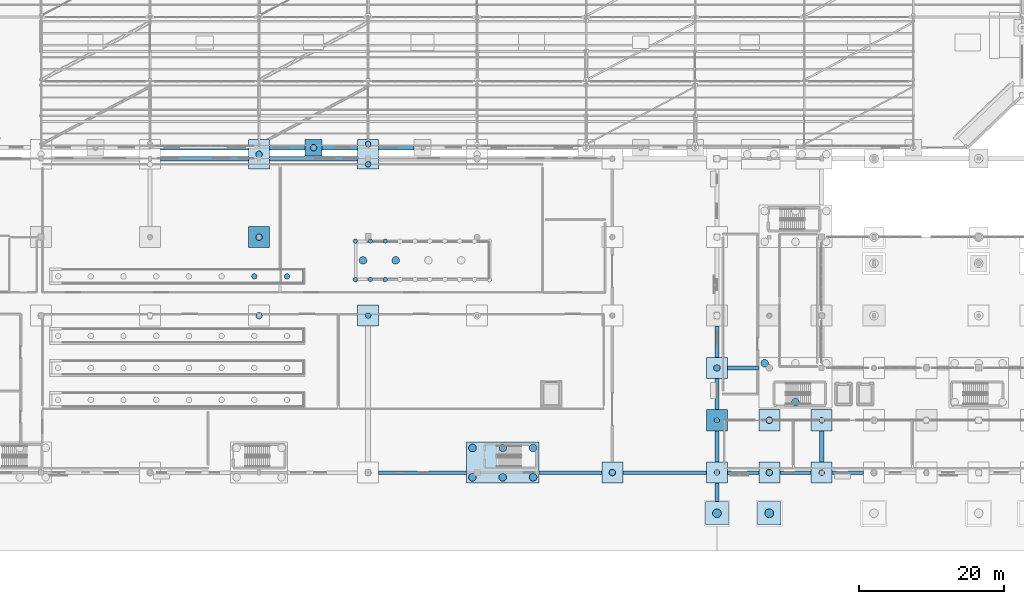
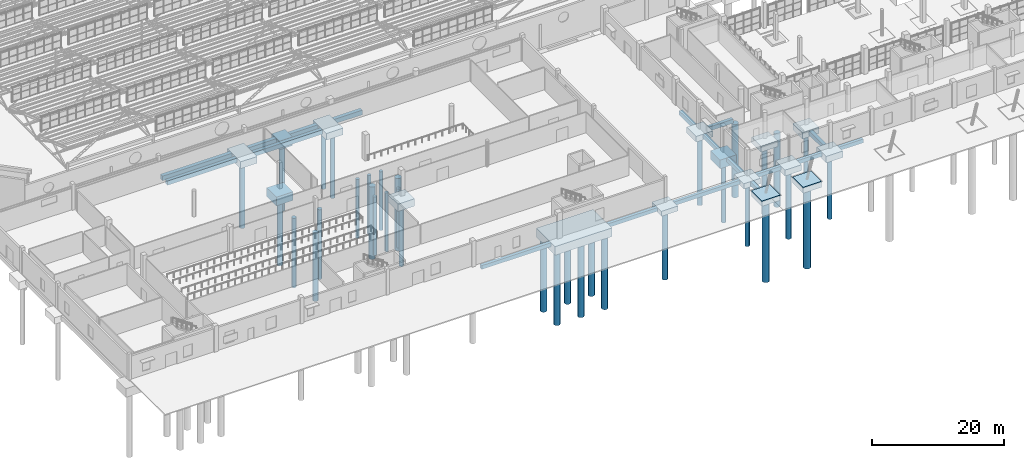
# One storey, part 2 of 285: 35 piles, 34 footings.
"""IFC4 building model written with IfcOpenShell, lengths in metres."""

from ifc_helpers import new_model, si_unit, direction, frame, origin, origin_2d, place, context, subcontext, project, spatial, polyline, circle, outline, extrude, material, material_profile, profile_set, type_object, element, save


model = new_model("IFC4")

# Units and contexts
model_context = context("Model", 3, precision=1e-05, world=origin(), true_north=direction((0.0, 1.0)))
body_context = subcontext(model_context, "Body", "Model", "MODEL_VIEW")
ifc_project = project(units=[si_unit("LENGTHUNIT", "METRE"), si_unit("AREAUNIT", "SQUARE_METRE"), si_unit("VOLUMEUNIT", "CUBIC_METRE"), si_unit("PLANEANGLEUNIT", "RADIAN"), si_unit("MASSUNIT", "GRAM", prefix="KILO")], contexts=[model_context])

# Site, building, storey
site_placement = place(None, origin())
site = spatial("IfcSite", under=ifc_project, at=site_placement, CompositionType="ELEMENT")
building_placement = place(site_placement, origin())
building = spatial("IfcBuilding", under=site, at=building_placement, Name="Solanera Park Tramway Depot", CompositionType="ELEMENT")
storey_placement = place(building_placement, origin())
storey = spatial("IfcBuildingStorey", under=building, at=storey_placement, Name="L00", CompositionType="ELEMENT", Elevation=0.0)

# Footings
ifc_material_1 = material(Name="Concrete N40 (C40/50)", Category="concrete")
footing_type_1 = type_object("IfcFootingType", Name="Bored Pile Cap PC-01 2300x2300x900", PredefinedType="PILE_CAP", material=ifc_material_1)
footing_1_placement = place(storey_placement, frame((0.0, 0.0, -1.324951171875)))
element("IfcFooting", 1, at=footing_1_placement, inside=storey, type_object=footing_type_1, Name="Pile Cap PC-01 #018", PredefinedType="PILE_CAP", context=body_context, shape_type="SweptSolid", body=[
    extrude(outline(polyline([(95.050048828125, 9.35009765625), (95.050048828125, 12.25), (92.14990234375, 12.25), (92.14990234375, 9.35009765625), (95.050048828125, 9.35009765625)])), origin(), (0.0, 0.0, 1.0), 0.89990234375),
])
ifc_material_2 = material(Name="Concrete N40 (C40/50)", Category="concrete")
footing_type_2 = type_object("IfcFootingType", Name="Bored Pile Cap PC-02 2600x2600x1000", PredefinedType="PILE_CAP", material=ifc_material_2)
footing_2_placement = place(storey_placement, frame((0.0, 0.0, -1.0)))
element("IfcFooting", 2, at=footing_2_placement, inside=storey, type_object=footing_type_2, Name="Pile Cap PC-02 #001", PredefinedType="PILE_CAP", context=body_context, shape_type="SweptSolid", body=[
    extrude(outline(polyline([(109.60009765625, 3.60693359375), (109.60009765625, 6.806884765625), (106.39990234375, 6.806884765625), (106.39990234375, 3.60693359375), (109.60009765625, 3.60693359375)])), origin(), (0.0, 0.0, 1.0), 1.0),
])
footing_3_placement = place(storey_placement, frame((0.0, 0.0, -1.35009765625)))
element("IfcFooting", 3, at=footing_3_placement, inside=storey, type_object=footing_type_2, Name="Pile Cap PC-02 #019", PredefinedType="PILE_CAP", context=body_context, shape_type="SweptSolid", body=[
    extrude(outline(polyline([(109.449951171875, 9.35009765625), (109.449951171875, 12.25), (106.550048828125, 12.25), (106.550048828125, 9.35009765625), (109.449951171875, 9.35009765625)])), origin(), (0.0, 0.0, 1.0), 1.0),
])
ifc_material_3 = material(Name="Concrete N40 (C40/50)", Category="concrete")
footing_type_3 = type_object("IfcFootingType", Name="Bored Pile Cap PC-03 2900x2900x1100", PredefinedType="PILE_CAP", material=ifc_material_3)
footing_4_placement = place(storey_placement, frame((0.0, 0.0, -1.10009765625)))
element("IfcFooting", 4, at=footing_4_placement, inside=storey, type_object=footing_type_3, Name="Pile Cap PC-03 #002", PredefinedType="PILE_CAP", context=body_context, shape_type="SweptSolid", body=[
    extrude(outline(polyline([(116.800048828125, 3.60693359375), (116.800048828125, 6.806884765625), (113.60009765625, 6.806884765625), (113.60009765625, 3.60693359375), (116.800048828125, 3.60693359375)])), origin(), (0.0, 0.0, 1.0), 1.10009765625),
])
footing_5_placement = place(storey_placement, frame((0.0, 0.0, -1.449951171875)))
element("IfcFooting", 5, at=footing_5_placement, inside=storey, type_object=footing_type_3, Name="Pile Cap PC-03 #020", PredefinedType="PILE_CAP", context=body_context, shape_type="SweptSolid", body=[
    extrude(outline(polyline([(116.64990234375, 9.35009765625), (116.64990234375, 12.25), (113.75, 12.25), (113.75, 9.35009765625), (116.64990234375, 9.35009765625)])), origin(), (0.0, 0.0, 1.0), 1.099853515625),
])
ifc_material_4 = material(Name="Concrete N40 (C40/50)", Category="concrete")
footing_type_4 = type_object("IfcFootingType", Name="Bored Pile Cap PC-04 3200x3200x1200", PredefinedType="PILE_CAP", material=ifc_material_4)
footing_6_placement = place(storey_placement, frame((0.0, 0.0, -1.550048828125)))
element("IfcFooting", 6, at=footing_6_placement, inside=storey, type_object=footing_type_4, Name="Pile Cap PC-04 #021", PredefinedType="PILE_CAP", context=body_context, shape_type="SweptSolid", body=[
    extrude(outline(polyline([(123.85009765625, 9.35009765625), (123.85009765625, 12.25), (120.949951171875, 12.25), (120.949951171875, 9.35009765625), (123.85009765625, 9.35009765625)])), origin(), (0.0, 0.0, 1.0), 1.199951171875),
])
ifc_material_5 = material(Name="Concrete N40 (C40/50)", Category="concrete")
footing_type_5 = type_object("IfcFootingType", Name="Bored Pile Cap PC-07 4200x2900x1250", PredefinedType="PILE_CAP", material=ifc_material_5)
footing_7_placement = place(storey_placement, frame((0.0, 0.0, -1.699951171875)))
element("IfcFooting", 7, at=footing_7_placement, inside=storey, type_object=footing_type_5, Name="Pile Cap PC-07 #102", PredefinedType="PILE_CAP", context=body_context, shape_type="SweptSolid", body=[
    extrude(outline(polyline([(46.449951171875, 52.550048828125), (46.449951171875, 56.64990234375), (43.550048828125, 56.64990234375), (43.550048828125, 52.550048828125), (46.449951171875, 52.550048828125)])), origin(), (0.0, 0.0, 1.0), 1.25),
])
footing_8_placement = place(storey_placement, frame((0.0, 0.0, -1.699951171875)))
element("IfcFooting", 8, at=footing_8_placement, inside=storey, type_object=footing_type_5, Name="Pile Cap PC-07 #103", PredefinedType="PILE_CAP", context=body_context, shape_type="SweptSolid", body=[
    extrude(outline(polyline([(61.449951171875, 52.550048828125), (61.449951171875, 56.64990234375), (58.550048828125, 56.64990234375), (58.550048828125, 52.550048828125), (61.449951171875, 52.550048828125)])), origin(), (0.0, 0.0, 1.0), 1.25),
])
ifc_material_6 = material(Name="Concrete N40 (C40/50)", Category="concrete")
footing_type_6 = type_object("IfcFootingType", Name="Bored Pile Cap PC-08 4600x3200x1350", PredefinedType="PILE_CAP", material=ifc_material_6)
footing_9_placement = place(storey_placement, frame((0.0, 0.0, -1.77490234375)))
element("IfcFooting", 9, at=footing_9_placement, inside=storey, type_object=footing_type_6, Name="Pile Cap PC-08 #061", PredefinedType="PILE_CAP", context=body_context, shape_type="SweptSolid", body=[
    extrude(outline(polyline([(61.449951171875, 30.949951171875), (61.449951171875, 33.85009765625), (58.550048828125, 33.85009765625), (58.550048828125, 30.949951171875), (61.449951171875, 30.949951171875)])), origin(), (0.0, 0.0, 1.0), 1.349853515625),
])
ifc_material_7 = material(Name="Concrete N40 (C40/50)", Category="concrete")
footing_type_7 = type_object("IfcFootingType", Name="Bored Pile Cap PC-13 8400x4800x1600", PredefinedType="PILE_CAP", material=ifc_material_7)
footing_10_placement = place(storey_placement, frame((0.0, 0.0, -2.02490234375)))
element("IfcFooting", 10, at=footing_10_placement, inside=storey, type_object=footing_type_7, Name="Pile Cap PC-13 #084", PredefinedType="PILE_CAP", context=body_context, shape_type="SweptSolid", body=[
    extrude(outline(polyline([(46.449951171875, 41.75), (46.449951171875, 44.64990234375), (43.550048828125, 44.64990234375), (43.550048828125, 41.75), (46.449951171875, 41.75)])), origin(), (0.0, 0.0, 1.0), 1.599853515625),
])
footing_11_placement = place(storey_placement, frame((0.0, 0.0, -2.050048828125)))
element("IfcFooting", 11, at=footing_11_placement, inside=storey, type_object=footing_type_7, Name="Pile Cap PC-13 #120", PredefinedType="PILE_CAP", context=body_context, shape_type="SweptSolid", body=[
    extrude(outline(polyline([(53.64990234375, 54.35009765625), (53.64990234375, 56.64990234375), (51.35009765625, 56.64990234375), (51.35009765625, 54.35009765625), (53.64990234375, 54.35009765625)])), origin(), (0.0, 0.0, 1.0), 1.60009765625),
])
ifc_material_8 = material(Name="Concrete N40 (C40/50)", Category="concrete")
footing_type_8 = type_object("IfcFootingType", Name="Bored Pile Cap PC-14 9600x5200x1600", PredefinedType="PILE_CAP", material=ifc_material_8)
footing_12_placement = place(storey_placement, frame((0.0, 0.0, -2.02490234375)))
element("IfcFooting", 12, at=footing_12_placement, inside=storey, type_object=footing_type_8, Name="Pile Cap PC-14 #017", PredefinedType="PILE_CAP", context=body_context, shape_type="SweptSolid", body=[
    extrude(outline(polyline([(83.5, 9.35009765625), (83.5, 15.0), (73.550048828125, 15.0), (73.550048828125, 9.35009765625), (83.5, 9.35009765625)])), origin(), (0.0, 0.0, 1.0), 1.599853515625),
])
footing_13_placement = place(storey_placement, frame((0.0, 0.0, -1.949951171875)))
element("IfcFooting", 13, at=footing_13_placement, inside=storey, type_object=footing_type_8, Name="Pile Cap PC-14 #031", PredefinedType="PILE_CAP", context=body_context, shape_type="SweptSolid", body=[
    extrude(outline(polyline([(109.449951171875, 16.550048828125), (109.449951171875, 19.449951171875), (106.550048828125, 19.449951171875), (106.550048828125, 16.550048828125), (109.449951171875, 16.550048828125)])), origin(), (0.0, 0.0, 1.0), 1.599853515625),
])
ifc_material_9 = material(Name="Concrete N40 (C40/50)", Category="concrete")
footing_type_9 = type_object("IfcFootingType", Name="Bored Pile Cap PC-15 2750x2750x1050", PredefinedType="PILE_CAP", material=ifc_material_9)
footing_14_placement = place(storey_placement, frame((0.0, 0.0, -1.39990234375)))
element("IfcFooting", 14, at=footing_14_placement, inside=storey, type_object=footing_type_9, Name="Pile Cap PC-15 #032", PredefinedType="PILE_CAP", context=body_context, shape_type="SweptSolid", body=[
    extrude(outline(polyline([(116.64990234375, 16.550048828125), (116.64990234375, 19.449951171875), (113.75, 19.449951171875), (113.75, 16.550048828125), (116.64990234375, 16.550048828125)])), origin(), (0.0, 0.0, 1.0), 1.0498046875),
])
footing_15_placement = place(storey_placement, frame((0.0, 0.0, -1.39990234375)))
element("IfcFooting", 15, at=footing_15_placement, inside=storey, type_object=footing_type_9, Name="Pile Cap PC-15 #050", PredefinedType="PILE_CAP", context=body_context, shape_type="SweptSolid", body=[
    extrude(outline(polyline([(109.449951171875, 23.75), (109.449951171875, 26.64990234375), (106.550048828125, 26.64990234375), (106.550048828125, 23.75), (109.449951171875, 23.75)])), origin(), (0.0, 0.0, 1.0), 1.0498046875),
])
ifc_material_10 = material(Name="Concrete N40 (C40/50)", Category="concrete")
footing_type_10 = type_object("IfcFootingType", Name="Bored Pile Cap PC-16 3050x3050x1150", PredefinedType="PILE_CAP", material=ifc_material_10)
footing_16_placement = place(storey_placement, frame((0.0, 0.0, -1.5)))
element("IfcFooting", 16, at=footing_16_placement, inside=storey, type_object=footing_type_10, Name="Pile Cap PC-16 #033", PredefinedType="PILE_CAP", context=body_context, shape_type="SweptSolid", body=[
    extrude(outline(polyline([(123.85009765625, 16.550048828125), (123.85009765625, 19.449951171875), (120.949951171875, 19.449951171875), (120.949951171875, 16.550048828125), (123.85009765625, 16.550048828125)])), origin(), (0.0, 0.0, 1.0), 1.14990234375),
])
ifc_material_11 = material(Name="Concrete N40 (C40/50)", Category="concrete")
footing_type_11 = type_object("IfcFootingType", Name="Ground Tie Beam GB-01 500x700", PredefinedType="FOOTING_BEAM", material=ifc_material_11)
footing_17_placement = place(storey_placement, frame((0.0, 0.0, -1.125)))
element("IfcFooting", 17, at=footing_17_placement, inside=storey, type_object=footing_type_11, Name="Ground Tie Beam GB-01 #005", PredefinedType="FOOTING_BEAM", context=body_context, shape_type="SweptSolid", body=[
    extrude(outline(polyline([(73.550048828125, 10.550048828125), (73.550048828125, 11.050048828125), (61.449951171875, 11.050048828125), (61.449951171875, 10.550048828125), (73.550048828125, 10.550048828125)])), origin(), (0.0, 0.0, 1.0), 0.699951171875),
])
footing_18_placement = place(storey_placement, frame((0.0, 0.0, -1.125)))
element("IfcFooting", 18, at=footing_18_placement, inside=storey, type_object=footing_type_11, Name="Ground Tie Beam GB-01 #006", PredefinedType="FOOTING_BEAM", context=body_context, shape_type="SweptSolid", body=[
    extrude(outline(polyline([(92.14990234375, 10.550048828125), (92.14990234375, 11.050048828125), (83.5, 11.050048828125), (83.5, 10.550048828125), (92.14990234375, 10.550048828125)])), origin(), (0.0, 0.0, 1.0), 0.699951171875),
])
footing_19_placement = place(storey_placement, frame((0.0, 0.0, -1.125)))
element("IfcFooting", 19, at=footing_19_placement, inside=storey, type_object=footing_type_11, Name="Ground Tie Beam GB-01 #007", PredefinedType="FOOTING_BEAM", context=body_context, shape_type="SweptSolid", body=[
    extrude(outline(polyline([(106.550048828125, 10.550048828125), (106.550048828125, 11.050048828125), (95.050048828125, 11.050048828125), (95.050048828125, 10.550048828125), (106.550048828125, 10.550048828125)])), origin(), (0.0, 0.0, 1.0), 0.699951171875),
])
footing_20_placement = place(storey_placement, frame((0.0, 0.0, -1.050048828125)))
element("IfcFooting", 20, at=footing_20_placement, inside=storey, type_object=footing_type_11, Name="Ground Tie Beam GB-01 #008", PredefinedType="FOOTING_BEAM", context=body_context, shape_type="SweptSolid", body=[
    extrude(outline(polyline([(113.75, 10.550048828125), (113.75, 11.050048828125), (109.449951171875, 11.050048828125), (109.449951171875, 10.550048828125), (113.75, 10.550048828125)])), origin(), (0.0, 0.0, 1.0), 0.699951171875),
])
footing_21_placement = place(storey_placement, frame((0.0, 0.0, -1.050048828125)))
element("IfcFooting", 21, at=footing_21_placement, inside=storey, type_object=footing_type_11, Name="Ground Tie Beam GB-01 #009", PredefinedType="FOOTING_BEAM", context=body_context, shape_type="SweptSolid", body=[
    extrude(outline(polyline([(120.949951171875, 10.550048828125), (120.949951171875, 11.050048828125), (116.64990234375, 11.050048828125), (116.64990234375, 10.550048828125), (120.949951171875, 10.550048828125)])), origin(), (0.0, 0.0, 1.0), 0.699951171875),
])
footing_22_placement = place(storey_placement, frame((0.0, 0.0, -1.050048828125)))
element("IfcFooting", 22, at=footing_22_placement, inside=storey, type_object=footing_type_11, Name="Ground Tie Beam GB-01 #010", PredefinedType="FOOTING_BEAM", context=body_context, shape_type="SweptSolid", body=[
    extrude(outline(polyline([(128.14990234375, 10.550048828125), (128.14990234375, 11.050048828125), (123.85009765625, 11.050048828125), (123.85009765625, 10.550048828125), (128.14990234375, 10.550048828125)])), origin(), (0.0, 0.0, 1.0), 0.699951171875),
])
ifc_material_12 = material(Name="Concrete N40 (C40/50)", Category="concrete")
footing_type_12 = type_object("IfcFootingType", Name="Ground Tie Beam GB-02 550x750", PredefinedType="FOOTING_BEAM", material=ifc_material_12)
footing_23_placement = place(storey_placement, frame((0.0, 0.0, -1.10009765625)))
element("IfcFooting", 23, at=footing_23_placement, inside=storey, type_object=footing_type_12, Name="Ground Tie Beam GB-02 #019", PredefinedType="FOOTING_BEAM", context=body_context, shape_type="SweptSolid", body=[
    extrude(outline(polyline([(113.75, 24.925048828125), (113.75, 25.47509765625), (109.449951171875, 25.47509765625), (109.449951171875, 24.925048828125), (113.75, 24.925048828125)])), origin(), (0.0, 0.0, 1.0), 0.75),
])
footing_24_placement = place(storey_placement, frame((0.0, 0.0, -1.10009765625)))
element("IfcFooting", 24, at=footing_24_placement, inside=storey, type_object=footing_type_12, Name="Ground Tie Beam GB-02 #118", PredefinedType="FOOTING_BEAM", context=body_context, shape_type="SweptSolid", body=[
    extrude(outline(polyline([(108.27490234375, 6.806884765625), (108.27490234375, 9.35009765625), (107.72509765625, 9.35009765625), (107.72509765625, 6.806884765625), (108.27490234375, 6.806884765625)])), origin(), (0.0, 0.0, 1.0), 0.75),
])
footing_25_placement = place(storey_placement, frame((0.0, 0.0, -1.10009765625)))
element("IfcFooting", 25, at=footing_25_placement, inside=storey, type_object=footing_type_12, Name="Ground Tie Beam GB-02 #119", PredefinedType="FOOTING_BEAM", context=body_context, shape_type="SweptSolid", body=[
    extrude(outline(polyline([(108.27490234375, 12.25), (108.27490234375, 16.550048828125), (107.72509765625, 16.550048828125), (107.72509765625, 12.25), (108.27490234375, 12.25)])), origin(), (0.0, 0.0, 1.0), 0.75),
])
footing_26_placement = place(storey_placement, frame((0.0, 0.0, -1.10009765625)))
element("IfcFooting", 26, at=footing_26_placement, inside=storey, type_object=footing_type_12, Name="Ground Tie Beam GB-02 #120", PredefinedType="FOOTING_BEAM", context=body_context, shape_type="SweptSolid", body=[
    extrude(outline(polyline([(108.27490234375, 19.449951171875), (108.27490234375, 23.75), (107.72509765625, 23.75), (107.72509765625, 19.449951171875), (108.27490234375, 19.449951171875)])), origin(), (0.0, 0.0, 1.0), 0.75),
])
footing_27_placement = place(storey_placement, frame((0.0, 0.0, -1.10009765625)))
element("IfcFooting", 27, at=footing_27_placement, inside=storey, type_object=footing_type_12, Name="Ground Tie Beam GB-02 #121", PredefinedType="FOOTING_BEAM", context=body_context, shape_type="SweptSolid", body=[
    extrude(outline(polyline([(108.27490234375, 26.64990234375), (108.27490234375, 30.949951171875), (107.72509765625, 30.949951171875), (107.72509765625, 26.64990234375), (108.27490234375, 26.64990234375)])), origin(), (0.0, 0.0, 1.0), 0.75),
])
ifc_material_13 = material(Name="Concrete N40 (C40/50)", Category="concrete")
footing_type_13 = type_object("IfcFootingType", Name="Ground Tie Beam GB-03 600x800", PredefinedType="FOOTING_BEAM", material=ifc_material_13)
footing_28_placement = place(storey_placement, frame((0.0, 0.0, -1.25)))
element("IfcFooting", 28, at=footing_28_placement, inside=storey, type_object=footing_type_13, Name="Ground Tie Beam GB-03 #029", PredefinedType="FOOTING_BEAM", context=body_context, shape_type="SweptSolid", body=[
    extrude(outline(polyline([(43.550048828125, 53.699951171875), (43.550048828125, 54.300048828125), (31.449951171875, 54.300048828125), (31.449951171875, 53.699951171875), (43.550048828125, 53.699951171875)])), origin(), (0.0, 0.0, 1.0), 0.800048828125),
])
footing_29_placement = place(storey_placement, frame((0.0, 0.0, -1.25)))
element("IfcFooting", 29, at=footing_29_placement, inside=storey, type_object=footing_type_13, Name="Ground Tie Beam GB-03 #030", PredefinedType="FOOTING_BEAM", context=body_context, shape_type="SweptSolid", body=[
    extrude(outline(polyline([(58.550048828125, 53.699951171875), (58.550048828125, 54.300048828125), (46.449951171875, 54.300048828125), (46.449951171875, 53.699951171875), (58.550048828125, 53.699951171875)])), origin(), (0.0, 0.0, 1.0), 0.800048828125),
])
footing_30_placement = place(storey_placement, frame((0.0, 0.0, -1.14990234375)))
element("IfcFooting", 30, at=footing_30_placement, inside=storey, type_object=footing_type_13, Name="Ground Tie Beam GB-03 #124", PredefinedType="FOOTING_BEAM", context=body_context, shape_type="SweptSolid", body=[
    extrude(outline(polyline([(122.699951171875, 12.25), (122.699951171875, 16.550048828125), (122.10009765625, 16.550048828125), (122.10009765625, 12.25), (122.699951171875, 12.25)])), origin(), (0.0, 0.0, 1.0), 0.7998046875),
])
ifc_material_14 = material(Name="Concrete N40 (C40/50)", Category="concrete")
footing_type_14 = type_object("IfcFootingType", Name="Ground Tie Beam GB-04 650x850", PredefinedType="FOOTING_BEAM", material=ifc_material_14)
footing_31_placement = place(storey_placement, frame((0.0, 0.0, -1.300048828125)))
element("IfcFooting", 31, at=footing_31_placement, inside=storey, type_object=footing_type_14, Name="Ground Tie Beam GB-04 #047", PredefinedType="FOOTING_BEAM", context=body_context, shape_type="SweptSolid", body=[
    extrude(outline(polyline([(43.550048828125, 55.175048828125), (43.550048828125, 55.824951171875), (31.449951171875, 55.824951171875), (31.449951171875, 55.175048828125), (43.550048828125, 55.175048828125)])), origin(), (0.0, 0.0, 1.0), 0.85009765625),
])
footing_32_placement = place(storey_placement, frame((0.0, 0.0, -1.300048828125)))
element("IfcFooting", 32, at=footing_32_placement, inside=storey, type_object=footing_type_14, Name="Ground Tie Beam GB-04 #048", PredefinedType="FOOTING_BEAM", context=body_context, shape_type="SweptSolid", body=[
    extrude(outline(polyline([(51.35009765625, 55.175048828125), (51.35009765625, 55.824951171875), (46.449951171875, 55.824951171875), (46.449951171875, 55.175048828125), (51.35009765625, 55.175048828125)])), origin(), (0.0, 0.0, 1.0), 0.85009765625),
])
footing_33_placement = place(storey_placement, frame((0.0, 0.0, -1.300048828125)))
element("IfcFooting", 33, at=footing_33_placement, inside=storey, type_object=footing_type_14, Name="Ground Tie Beam GB-04 #049", PredefinedType="FOOTING_BEAM", context=body_context, shape_type="SweptSolid", body=[
    extrude(outline(polyline([(58.550048828125, 55.175048828125), (58.550048828125, 55.824951171875), (53.64990234375, 55.824951171875), (53.64990234375, 55.175048828125), (58.550048828125, 55.175048828125)])), origin(), (0.0, 0.0, 1.0), 0.85009765625),
])
footing_34_placement = place(storey_placement, frame((0.0, 0.0, -1.300048828125)))
element("IfcFooting", 34, at=footing_34_placement, inside=storey, type_object=footing_type_14, Name="Ground Tie Beam GB-04 #050", PredefinedType="FOOTING_BEAM", context=body_context, shape_type="SweptSolid", body=[
    extrude(outline(polyline([(66.35009765625, 55.175048828125), (66.35009765625, 55.824951171875), (61.449951171875, 55.824951171875), (61.449951171875, 55.175048828125), (66.35009765625, 55.175048828125)])), origin(), (0.0, 0.0, 1.0), 0.85009765625),
])

# Piles
ifc_material_15 = material(Name="Concrete N40 (C40/50)", Category="concrete")
ifc_material_profile_1 = material_profile(ifc_material_15, circle(Radius=0.52490234375, at=origin_2d()), Name="BORED PILE 1050")
ifc_profile_set_1 = profile_set([ifc_material_profile_1], Name="Concrete N40 (C40/50)")
pile_type_1 = type_object("IfcPileType", Name="Rock Socketed BORED PILE 1050", PredefinedType="BORED", material=ifc_profile_set_1)
for number, where, z_axis, x_axis, name in (
    (35, (74.35498046875, 10.155029296875, -1.925048828125), (0.0, 0.0, -1.0), (1.0, 0.0, 0.0), "Bored Pile BORED PILE 1050 #0024"),
    (36, (74.35498046875, 14.195068359375, -1.925048828125), (0.0, 0.0, -1.0), (1.0, 0.0, 0.0), "Bored Pile BORED PILE 1050 #0025"),
    (37, (78.52490234375, 10.155029296875, -1.925048828125), (0.0, 0.0, -1.0), (1.0, 0.0, 0.0), "Bored Pile BORED PILE 1050 #0026"),
    (38, (78.52490234375, 14.195068359375, -1.925048828125), (0.0, 0.0, -1.0), (1.0, 0.0, 0.0), "Bored Pile BORED PILE 1050 #0027"),
    (39, (82.695068359375, 10.155029296875, -1.925048828125), (0.0, 0.0, -1.0), (1.0, 0.0, 0.0), "Bored Pile BORED PILE 1050 #0028"),
    (40, (82.695068359375, 14.195068359375, -1.925048828125), (0.0, 0.0, -1.0), (1.0, 0.0, 0.0), "Bored Pile BORED PILE 1050 #0029"),
):
    element("IfcPile", number, at=place(storey_placement, frame(where, z_axis=z_axis, x_axis=x_axis)), inside=storey, type_object=pile_type_1, Name=name, PredefinedType="BORED", context=body_context, shape_type="SweptSolid", body=[
        extrude(circle(Radius=0.52490234375, at=origin_2d()), origin(), (0.0, 0.0, 1.0), 13.47509765625),
    ])
for number, where, z_axis, x_axis, name in (
    (41, (114.554931640625, 25.844970703125, -1.85009765625), (0.0, 0.0, -1.0), (1.0, 0.0, 0.0), "Bored Pile BORED PILE 1050 #0055"),
    (42, (118.800048828125, 20.5048828125, -1.85009765625), (0.0, 0.0, -1.0), (1.0, 0.0, 0.0), "Bored Pile BORED PILE 1050 #0056"),
):
    element("IfcPile", number, at=place(storey_placement, frame(where, z_axis=z_axis, x_axis=x_axis)), inside=storey, type_object=pile_type_1, Name=name, PredefinedType="BORED", context=body_context, shape_type="SweptSolid", body=[
        extrude(circle(Radius=0.52490234375, at=origin_2d()), origin(), (0.0, 0.0, 1.0), 13.550048828125),
    ])
for number, where, z_axis, x_axis, name in (
    (43, (59.300048828125, 40.0, -2.64990234375), (0.0, 0.0, -1.0), (1.0, 0.0, 0.0), "Pit Tension/Compression Bored Pile #0282"),
    (44, (63.800048828125, 40.0, -2.64990234375), (0.0, 0.0, -1.0), (1.0, 0.0, 0.0), "Pit Tension/Compression Bored Pile #0283"),
):
    element("IfcPile", number, at=place(storey_placement, frame(where, z_axis=z_axis, x_axis=x_axis)), inside=storey, type_object=pile_type_1, Name=name, PredefinedType="BORED", context=body_context, shape_type="SweptSolid", body=[
        extrude(circle(Radius=0.52490234375, at=origin_2d()), origin(), (0.0, 0.0, 1.0), 13.35009765625),
    ])
ifc_material_16 = material(Name="Concrete N50 (C50/60)", Category="concrete")
ifc_material_profile_2 = material_profile(ifc_material_16, circle(Radius=0.60009765625, at=origin_2d()), Name="BORED PILE 1200")
ifc_profile_set_2 = profile_set([ifc_material_profile_2], Name="Concrete N50 (C50/60)")
pile_type_2 = type_object("IfcPileType", Name="Rock Socketed BORED PILE 1200", PredefinedType="BORED", material=ifc_profile_set_2)
pile_1_placement = place(storey_placement, frame((108.0, 5.20703125, -0.89990234375), z_axis=(0.0, 0.0, -1.0), x_axis=(1.0, 0.0, 0.0)))
element("IfcPile", 45, at=pile_1_placement, inside=storey, type_object=pile_type_2, Name="Bored Pile BORED PILE 1200 #0001", PredefinedType="BORED", context=body_context, shape_type="SweptSolid", body=[
    extrude(circle(Radius=0.60009765625, at=origin_2d()), origin(), (0.0, 0.0, 1.0), 15.300048828125),
])
pile_2_placement = place(storey_placement, frame((115.199951171875, 5.20703125, -1.0), z_axis=(0.0, 0.0, -1.0), x_axis=(1.0, 0.0, 0.0)))
element("IfcPile", 46, at=pile_2_placement, inside=storey, type_object=pile_type_2, Name="Bored Pile BORED PILE 1200 #0002", PredefinedType="BORED", context=body_context, shape_type="SweptSolid", body=[
    extrude(circle(Radius=0.60009765625, at=origin_2d()), origin(), (0.0, 0.0, 1.0), 15.199951171875),
])
ifc_material_17 = material(Name="Concrete N40 (C40/50)", Category="concrete")
ifc_material_profile_3 = material_profile(ifc_material_17, circle(Radius=0.300048828125, at=origin_2d()), Name="BORED PILE 600")
ifc_profile_set_3 = profile_set([ifc_material_profile_3], Name="Concrete N40 (C40/50)")
pile_type_3 = type_object("IfcPileType", Name="Rock Socketed BORED PILE 600", PredefinedType="SUPPORT", material=ifc_profile_set_3)
for number, where, z_axis, x_axis, name in (
    (47, (58.25, 37.35009765625, -2.64990234375), (0.0, 0.0, -1.0), (1.0, 0.0, 0.0), "Wheel-Lathe Pit Support Pile #001"),
    (48, (58.25, 42.64990234375, -2.64990234375), (0.0, 0.0, -1.0), (1.0, 0.0, 0.0), "Wheel-Lathe Pit Support Pile #002"),
    (49, (60.300048828125, 37.35009765625, -2.64990234375), (0.0, 0.0, -1.0), (1.0, 0.0, 0.0), "Wheel-Lathe Pit Support Pile #003"),
    (50, (60.300048828125, 42.64990234375, -2.64990234375), (0.0, 0.0, -1.0), (1.0, 0.0, 0.0), "Wheel-Lathe Pit Support Pile #004"),
    (51, (62.35009765625, 37.35009765625, -2.64990234375), (0.0, 0.0, -1.0), (1.0, 0.0, 0.0), "Wheel-Lathe Pit Support Pile #005"),
    (52, (62.35009765625, 42.64990234375, -2.64990234375), (0.0, 0.0, -1.0), (1.0, 0.0, 0.0), "Wheel-Lathe Pit Support Pile #006"),
):
    element("IfcPile", number, at=place(storey_placement, frame(where, z_axis=z_axis, x_axis=x_axis)), inside=storey, type_object=pile_type_3, Name=name, PredefinedType="SUPPORT", context=body_context, shape_type="SweptSolid", body=[
        extrude(circle(Radius=0.300048828125, at=origin_2d()), origin(), (0.0, 0.0, 1.0), 10.85009765625),
    ])
ifc_material_18 = material(Name="Concrete N40 (C40/50)", Category="concrete")
ifc_material_profile_4 = material_profile(ifc_material_18, circle(Radius=0.375, at=origin_2d()), Name="BORED PILE 750")
ifc_profile_set_4 = profile_set([ifc_material_profile_4], Name="Concrete N40 (C40/50)")
pile_type_4 = type_object("IfcPileType", Name="Rock Socketed BORED PILE 750", PredefinedType="BORED", material=ifc_profile_set_4)
pile_3_placement = place(storey_placement, frame((108.0, 10.800048828125, -1.25), z_axis=(0.0, 0.0, -1.0), x_axis=(1.0, 0.0, 0.0)))
element("IfcPile", 53, at=pile_3_placement, inside=storey, type_object=pile_type_4, Name="Bored Pile BORED PILE 750 #0031", PredefinedType="BORED", context=body_context, shape_type="SweptSolid", body=[
    extrude(circle(Radius=0.375, at=origin_2d()), origin(), (0.0, 0.0, 1.0), 11.85009765625),
])
pile_4_placement = place(storey_placement, frame((122.39990234375, 10.800048828125, -1.449951171875), z_axis=(0.0, 0.0, -1.0), x_axis=(1.0, 0.0, 0.0)))
element("IfcPile", 54, at=pile_4_placement, inside=storey, type_object=pile_type_4, Name="Bored Pile BORED PILE 750 #0033", PredefinedType="BORED", context=body_context, shape_type="SweptSolid", body=[
    extrude(circle(Radius=0.375, at=origin_2d()), origin(), (0.0, 0.0, 1.0), 11.64990234375),
])
pile_5_placement = place(storey_placement, frame((108.0, 18.0, -1.85009765625), z_axis=(0.0, 0.0, -1.0), x_axis=(1.0, 0.0, 0.0)))
element("IfcPile", 55, at=pile_5_placement, inside=storey, type_object=pile_type_4, Name="Bored Pile BORED PILE 750 #0043", PredefinedType="BORED", context=body_context, shape_type="SweptSolid", body=[
    extrude(circle(Radius=0.375, at=origin_2d()), origin(), (0.0, 0.0, 1.0), 11.25),
])
pile_6_placement = place(storey_placement, frame((122.39990234375, 18.0, -1.39990234375), z_axis=(0.0, 0.0, -1.0), x_axis=(1.0, 0.0, 0.0)))
element("IfcPile", 56, at=pile_6_placement, inside=storey, type_object=pile_type_4, Name="Bored Pile BORED PILE 750 #0045", PredefinedType="BORED", context=body_context, shape_type="SweptSolid", body=[
    extrude(circle(Radius=0.375, at=origin_2d()), origin(), (0.0, 0.0, 1.0), 11.699951171875),
])
pile_7_placement = place(storey_placement, frame((60.0, 32.39990234375, -1.675048828125), z_axis=(0.0, 0.0, -1.0), x_axis=(1.0, 0.0, 0.0)))
element("IfcPile", 57, at=pile_7_placement, inside=storey, type_object=pile_type_4, Name="Bored Pile BORED PILE 750 #0088", PredefinedType="BORED", context=body_context, shape_type="SweptSolid", body=[
    extrude(circle(Radius=0.375, at=origin_2d()), origin(), (0.0, 0.0, 1.0), 11.425048828125),
])
for number, where, z_axis, x_axis, name in (
    (58, (60.0, 53.205078125, -1.60009765625), (0.0, 0.0, -1.0), (1.0, 0.0, 0.0), "Bored Pile BORED PILE 750 #0139"),
    (59, (60.0, 55.9951171875, -1.60009765625), (0.0, 0.0, -1.0), (1.0, 0.0, 0.0), "Bored Pile BORED PILE 750 #0140"),
):
    element("IfcPile", number, at=place(storey_placement, frame(where, z_axis=z_axis, x_axis=x_axis)), inside=storey, type_object=pile_type_4, Name=name, PredefinedType="BORED", context=body_context, shape_type="SweptSolid", body=[
        extrude(circle(Radius=0.375, at=origin_2d()), origin(), (0.0, 0.0, 1.0), 11.5),
    ])
for number, where, z_axis, x_axis, name in (
    (60, (44.35009765625, 37.800048828125, -1.949951171875), (0.0, 0.0, -1.0), (1.0, 0.0, 0.0), "Pit Tension/Compression Bored Pile #0280"),
    (61, (48.85009765625, 37.800048828125, -1.949951171875), (0.0, 0.0, -1.0), (1.0, 0.0, 0.0), "Pit Tension/Compression Bored Pile #0281"),
):
    element("IfcPile", number, at=place(storey_placement, frame(where, z_axis=z_axis, x_axis=x_axis)), inside=storey, type_object=pile_type_4, Name=name, PredefinedType="BORED", context=body_context, shape_type="SweptSolid", body=[
        extrude(circle(Radius=0.375, at=origin_2d()), origin(), (0.0, 0.0, 1.0), 12.85009765625),
    ])
ifc_material_19 = material(Name="Concrete N40 (C40/50)", Category="concrete")
ifc_material_profile_5 = material_profile(ifc_material_19, circle(Radius=0.449951171875, at=origin_2d()), Name="BORED PILE 900")
ifc_profile_set_5 = profile_set([ifc_material_profile_5], Name="Concrete N40 (C40/50)")
pile_type_5 = type_object("IfcPileType", Name="Rock Socketed BORED PILE 900", PredefinedType="BORED", material=ifc_profile_set_5)
pile_8_placement = place(storey_placement, frame((93.60009765625, 10.800048828125, -1.22509765625), z_axis=(0.0, 0.0, -1.0), x_axis=(1.0, 0.0, 0.0)))
element("IfcPile", 62, at=pile_8_placement, inside=storey, type_object=pile_type_5, Name="Bored Pile BORED PILE 900 #0030", PredefinedType="BORED", context=body_context, shape_type="SweptSolid", body=[
    extrude(circle(Radius=0.449951171875, at=origin_2d()), origin(), (0.0, 0.0, 1.0), 12.97509765625),
])
pile_9_placement = place(storey_placement, frame((115.199951171875, 10.800048828125, -1.35009765625), z_axis=(0.0, 0.0, -1.0), x_axis=(1.0, 0.0, 0.0)))
element("IfcPile", 63, at=pile_9_placement, inside=storey, type_object=pile_type_5, Name="Bored Pile BORED PILE 900 #0032", PredefinedType="BORED", context=body_context, shape_type="SweptSolid", body=[
    extrude(circle(Radius=0.449951171875, at=origin_2d()), origin(), (0.0, 0.0, 1.0), 12.85009765625),
])
for number, where, z_axis, x_axis, name in (
    (64, (115.199951171875, 18.0, -1.300048828125), (0.0, 0.0, -1.0), (1.0, 0.0, 0.0), "Bored Pile BORED PILE 900 #0044"),
    (65, (108.0, 25.199951171875, -1.300048828125), (0.0, 0.0, -1.0), (1.0, 0.0, 0.0), "Bored Pile BORED PILE 900 #0076"),
):
    element("IfcPile", number, at=place(storey_placement, frame(where, z_axis=z_axis, x_axis=x_axis)), inside=storey, type_object=pile_type_5, Name=name, PredefinedType="BORED", context=body_context, shape_type="SweptSolid", body=[
        extrude(circle(Radius=0.449951171875, at=origin_2d()), origin(), (0.0, 0.0, 1.0), 12.89990234375),
    ])
pile_10_placement = place(storey_placement, frame((45.0, 32.39990234375, -1.574951171875), z_axis=(0.0, 0.0, -1.0), x_axis=(1.0, 0.0, 0.0)))
element("IfcPile", 66, at=pile_10_placement, inside=storey, type_object=pile_type_5, Name="Bored Pile BORED PILE 900 #0087", PredefinedType="BORED", context=body_context, shape_type="SweptSolid", body=[
    extrude(circle(Radius=0.449951171875, at=origin_2d()), origin(), (0.0, 0.0, 1.0), 12.625),
])
pile_11_placement = place(storey_placement, frame((45.0, 43.199951171875, -1.925048828125), z_axis=(0.0, 0.0, -1.0), x_axis=(1.0, 0.0, 0.0)))
element("IfcPile", 67, at=pile_11_placement, inside=storey, type_object=pile_type_5, Name="Bored Pile BORED PILE 900 #0111", PredefinedType="BORED", context=body_context, shape_type="SweptSolid", body=[
    extrude(circle(Radius=0.449951171875, at=origin_2d()), origin(), (0.0, 0.0, 1.0), 12.27490234375),
])
pile_12_placement = place(storey_placement, frame((45.0, 54.60009765625, -1.60009765625), z_axis=(0.0, 0.0, -1.0), x_axis=(1.0, 0.0, 0.0)))
element("IfcPile", 68, at=pile_12_placement, inside=storey, type_object=pile_type_5, Name="Bored Pile BORED PILE 900 #0138", PredefinedType="BORED", context=body_context, shape_type="SweptSolid", body=[
    extrude(circle(Radius=0.449951171875, at=origin_2d()), origin(), (0.0, 0.0, 1.0), 12.60009765625),
])
pile_13_placement = place(storey_placement, frame((52.5, 55.5, -1.949951171875), z_axis=(0.0, 0.0, -1.0), x_axis=(1.0, 0.0, 0.0)))
element("IfcPile", 69, at=pile_13_placement, inside=storey, type_object=pile_type_5, Name="Bored Pile BORED PILE 900 #0163", PredefinedType="BORED", context=body_context, shape_type="SweptSolid", body=[
    extrude(circle(Radius=0.449951171875, at=origin_2d()), origin(), (0.0, 0.0, 1.0), 12.25),
])

save(model, "model.ifc")
